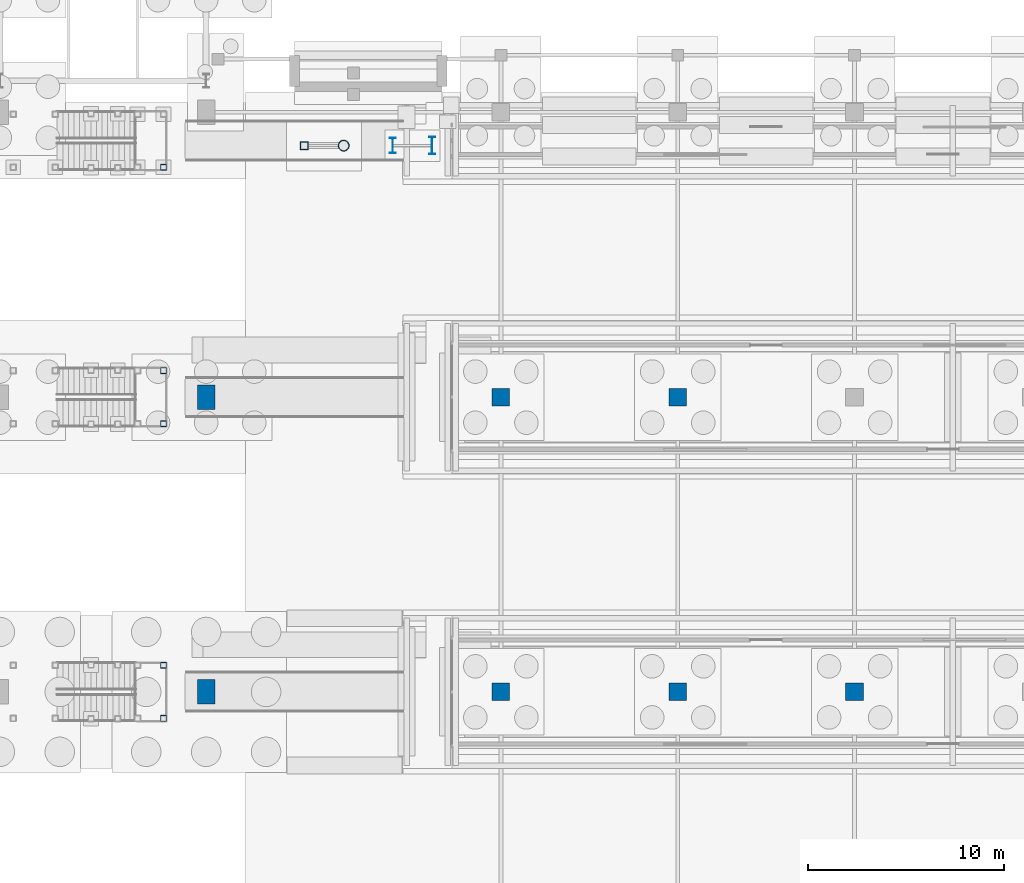
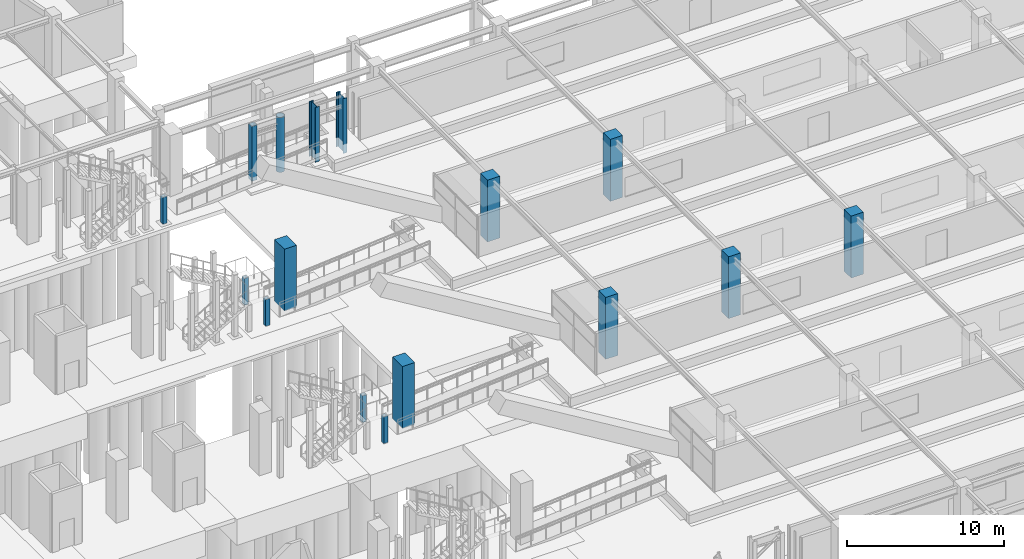
# One storey, part 32 of 160: 16 columns.
"""IFC4 building model written with IfcOpenShell, lengths in metres."""

import ifcopenshell
import ifcopenshell.guid

model = None  # the IFC model being written
_history = None  # IfcOwnerHistory: only IFC2X3 demands one
_inside = {}  # id of a spatial element -> (the spatial element, [elements in it])
_under = {}  # id of a project, library or spatial element -> (it, [spatial elements below it])
_declared = {}  # id of a project -> (the project, [libraries it declares])
_typed = {}  # id of a type object -> (the type object, [elements of that type])
_made_of = {}  # id of a material, layer set ... -> (it, [elements and type objects made of it])


def new_model(schema):
    """Start an empty IFC model of exactly this schema.

    Asked for "IFC4X3", IfcOpenShell would pick the latest addendum, in which some entities
    have other attributes; the version numbers below select the first issue.
    IFC2X3 requires an IfcOwnerHistory on every rooted entity: one is made here for all.
    """
    global model, _history
    if schema == "IFC4X3":
        model = ifcopenshell.file(schema_version=(4, 3, 0, 0))
    else:
        model = ifcopenshell.file(schema=schema)
    _inside.clear()
    _under.clear()
    _declared.clear()
    _typed.clear()
    _made_of.clear()
    _history = None
    if model.schema == "IFC2X3":
        org = make("IfcOrganization", Name="unknown")
        user = make(
            "IfcPersonAndOrganization",
            ThePerson=make("IfcPerson", FamilyName="unknown"),
            TheOrganization=org,
        )
        app = make(
            "IfcApplication",
            ApplicationDeveloper=org,
            Version="unknown",
            ApplicationFullName="unknown",
            ApplicationIdentifier="unknown",
        )
        _history = make(
            "IfcOwnerHistory",
            OwningUser=user,
            OwningApplication=app,
            ChangeAction="ADDED",
            CreationDate=0,
        )
    return model


def make(cls, **values):
    """One entity of the class cls with the attributes given. An attribute that is None is left unset."""
    return model.create_entity(
        cls, **{name: value for name, value in values.items() if value is not None}
    )


def rooted(cls, **values):
    """An entity with a GlobalId (a new one), such as an element, a storey or a relation."""
    return make(cls, GlobalId=ifcopenshell.guid.new(), OwnerHistory=_history, **values)


def si_unit(unit_type, name, prefix=None):
    """IfcSIUnit, for example si_unit("LENGTHUNIT", "METRE", prefix="MILLI")."""
    return make("IfcSIUnit", UnitType=unit_type, Prefix=prefix, Name=name)


def assignment(units):
    """IfcUnitAssignment: the units of a project."""
    return None if units is None else make("IfcUnitAssignment", Units=units)


def point(xyz):
    """IfcCartesianPoint."""
    return None if xyz is None else make("IfcCartesianPoint", Coordinates=xyz)


def direction(xyz):
    """IfcDirection."""
    return None if xyz is None else make("IfcDirection", DirectionRatios=xyz)


def frame(location, z_axis=None, x_axis=None):
    """IfcAxis2Placement3D, a coordinate frame: its origin and axes. An axis left out is left unset."""
    return make(
        "IfcAxis2Placement3D",
        Location=point(location),
        Axis=direction(z_axis),
        RefDirection=direction(x_axis),
    )


def frame_2d(location, x_axis=None):
    """IfcAxis2Placement2D, a coordinate frame in the plane: its origin and x axis."""
    return make(
        "IfcAxis2Placement2D", Location=point(location), RefDirection=direction(x_axis)
    )


def origin():
    """The frame at (0, 0, 0) with its axes left unset."""
    return frame((0.0, 0.0, 0.0))


def origin_2d():
    """The frame at (0, 0) in the plane with its x axis left unset."""
    return frame_2d((0.0, 0.0))


def place(relative_to, where):
    """IfcLocalPlacement: puts the frame where relative to a parent placement (None: the world)."""
    return make(
        "IfcLocalPlacement", PlacementRelTo=relative_to, RelativePlacement=where
    )


def context(
    kind, dimensions, precision=None, world=None, true_north=None, identifier=None
):
    """IfcGeometricRepresentationContext, for example the 3D "Model" context."""
    return make(
        "IfcGeometricRepresentationContext",
        ContextIdentifier=identifier,
        ContextType=kind,
        CoordinateSpaceDimension=dimensions,
        Precision=precision,
        WorldCoordinateSystem=world,
        TrueNorth=true_north,
    )


def subcontext(parent, identifier, kind, view, scale=None):
    """IfcGeometricRepresentationSubContext, for example "Body" below "Model"."""
    return make(
        "IfcGeometricRepresentationSubContext",
        ContextIdentifier=identifier,
        ContextType=kind,
        ParentContext=parent,
        TargetScale=scale,
        TargetView=view,
    )


def project(units=None, contexts=None):
    """IfcProject with its units and contexts."""
    return rooted(
        "IfcProject",
        Name="project",
        RepresentationContexts=contexts,
        UnitsInContext=assignment(units),
    )


def spatial(cls, under=None, at=None, **own):
    """A site, building, storey or space (cls), placed at a placement, below another one or the project."""
    s = rooted(cls, ObjectPlacement=at, **own)
    if under is not None:
        _under.setdefault(under.id(), (under, []))[1].append(s)
    return s


def profile(cls, at=None, kind="AREA", **sizes):
    """A parametric profile (cls). Its sizes go by their IFC names, for example OverallWidth=200.0."""
    return make(cls, ProfileType=kind, Position=at, **sizes)


def rectangle(**sizes):
    """IfcRectangleProfileDef."""
    return profile("IfcRectangleProfileDef", **sizes)


def hollow_rectangle(**sizes):
    """IfcRectangleHollowProfileDef."""
    return profile("IfcRectangleHollowProfileDef", **sizes)


def hollow_circle(**sizes):
    """IfcCircleHollowProfileDef."""
    return profile("IfcCircleHollowProfileDef", **sizes)


def i_section(**sizes):
    """IfcIShapeProfileDef."""
    return profile("IfcIShapeProfileDef", **sizes)


def extrude(swept, where, along, depth):
    """IfcExtrudedAreaSolid: the profile swept, set in the frame where, extruded along a direction by depth."""
    return make(
        "IfcExtrudedAreaSolid",
        SweptArea=swept,
        Position=where,
        ExtrudedDirection=direction(along),
        Depth=depth,
    )


def shape(context_of_items, identifier, shape_type, items):
    """IfcShapeRepresentation: the items that make up one representation, for example the "Body"."""
    return make(
        "IfcShapeRepresentation",
        ContextOfItems=context_of_items,
        RepresentationIdentifier=identifier,
        RepresentationType=shape_type,
        Items=items,
    )


def material(Name=None, Category=None):
    """IfcMaterial."""
    return make("IfcMaterial", Name=Name, Category=Category)


def material_profile(
    of_material, cross_section, Name=None, Category=None, Priority=None
):
    """IfcMaterialProfile: a cross section and its material."""
    return make(
        "IfcMaterialProfile",
        Name=Name,
        Material=of_material,
        Profile=cross_section,
        Priority=Priority,
        Category=Category,
    )


def profile_set(profiles, Name=None, composite=None):
    """IfcMaterialProfileSet."""
    return make(
        "IfcMaterialProfileSet",
        Name=Name,
        MaterialProfiles=profiles,
        CompositeProfile=composite,
    )


def made_of(thing, what):
    """Note that an element or type object is made of a material, layer set ...; save() writes the relation."""
    if what is not None:
        _made_of.setdefault(what.id(), (what, []))[1].append(thing)
    return thing


def type_object(cls, material=None, **own):
    """A type object (cls), such as IfcWallType, which elements share."""
    return made_of(rooted(cls, **own), material)


def element(
    cls,
    number,
    at=None,
    inside=None,
    cuts=None,
    type_object=None,
    material=None,
    context=None,
    identifier="Body",
    shape_type=None,
    held_by="IfcProductDefinitionShape",
    body=None,
    shapes=None,
    **own,
):
    """One element of the class cls, such as IfcWall. Its Tag is "e" and its number.

    at: its placement. inside: the storey or other place that contains it. cuts: it is an
    opening in that element (IfcRelVoidsElement). A single representation is given by context,
    identifier, shape_type and body (its items); several are given by shapes. held_by: the class
    of the entity that holds the representations. save() writes the other relations.
    """
    e = rooted(cls, Tag="e%d" % number, ObjectPlacement=at, **own)
    if body is not None:
        shapes = [shape(context, identifier, shape_type, body)]
    if shapes is not None:
        e.Representation = make(held_by, Representations=shapes)
    if inside is not None:
        _inside.setdefault(inside.id(), (inside, []))[1].append(e)
    if cuts is not None:
        rooted(
            "IfcRelVoidsElement", RelatingBuildingElement=cuts, RelatedOpeningElement=e
        )
    if type_object is not None:
        _typed.setdefault(type_object.id(), (type_object, []))[1].append(e)
    return made_of(e, material)


def aggregate(whole, parts):
    """IfcRelAggregates: a whole, such as a stair, and the parts it consists of."""
    return rooted("IfcRelAggregates", RelatingObject=whole, RelatedObjects=parts)


def save(model, path):
    """Write the relations noted so far, then the file.

    IfcRelAggregates (storeys below a building ...), IfcRelContainedInSpatialStructure (elements
    in a storey), IfcRelDefinesByType, IfcRelAssociatesMaterial and IfcRelDeclares: one each for
    every whole, place, type object, material and project.
    """
    for whole, parts in _under.values():
        aggregate(whole, parts)
    for where, things in _inside.values():
        rooted(
            "IfcRelContainedInSpatialStructure",
            RelatedElements=things,
            RelatingStructure=where,
        )
    for kind, things in _typed.values():
        rooted("IfcRelDefinesByType", RelatedObjects=things, RelatingType=kind)
    for what, things in _made_of.values():
        rooted("IfcRelAssociatesMaterial", RelatedObjects=things, RelatingMaterial=what)
    for by, libraries in _declared.values():
        rooted("IfcRelDeclares", RelatingContext=by, RelatedDefinitions=libraries)
    model.write(path)


model = new_model("IFC4")

# Units and contexts
model_context = context("Model", 3, precision=1e-05, world=origin(), true_north=direction((0.0, 1.0)))
body_context = subcontext(model_context, "Body", "Model", "MODEL_VIEW")
ifc_project = project(units=[si_unit("LENGTHUNIT", "METRE"), si_unit("AREAUNIT", "SQUARE_METRE"), si_unit("VOLUMEUNIT", "CUBIC_METRE"), si_unit("PLANEANGLEUNIT", "RADIAN"), si_unit("MASSUNIT", "GRAM", prefix="KILO")], contexts=[model_context])

# Site, building, storey
site_placement = place(None, origin())
site = spatial("IfcSite", under=ifc_project, at=site_placement, CompositionType="ELEMENT")
building_placement = place(site_placement, origin())
building = spatial("IfcBuilding", under=site, at=building_placement, Name="Marlcrest Central Station", CompositionType="ELEMENT")
storey_placement = place(building_placement, origin())
storey = spatial("IfcBuildingStorey", under=building, at=storey_placement, Name="L00", CompositionType="ELEMENT", Elevation=0.0)

# Columns
ifc_material_1 = material(Name="Concrete C50/60", Category="concrete")
ifc_material_profile_1 = material_profile(ifc_material_1, rectangle(XDim=0.89990234375, YDim=0.89990234375, at=origin_2d()), Name="RC 900x900")
ifc_profile_set_1 = profile_set([ifc_material_profile_1], Name="Concrete C50/60")
column_type_1 = type_object("IfcColumnType", Name="RC-08", PredefinedType="COLUMN", material=ifc_profile_set_1)
for number, where, z_axis, x_axis, name in (
    (1, (144.0, 66.0, 0.0), (0.0, 0.0, 1.0), (1.0, 0.0, 0.0), "col-RC-08-L00-0516"),
    (2, (144.0, 81.0, 0.0), (0.0, 0.0, 1.0), (1.0, 0.0, 0.0), "col-RC-08-L00-0518"),
    (3, (153.0, 66.0, 0.0), (0.0, 0.0, 1.0), (1.0, 0.0, 0.0), "col-RC-08-L00-0527"),
    (4, (153.0, 81.0, 0.0), (0.0, 0.0, 1.0), (1.0, 0.0, 0.0), "col-RC-08-L00-0529"),
    (5, (162.0, 66.0, 0.0), (0.0, 0.0, 1.0), (1.0, 0.0, 0.0), "col-RC-08-L00-0538"),
):
    element("IfcColumn", number, at=place(storey_placement, frame(where, z_axis=z_axis, x_axis=x_axis)), inside=storey, type_object=column_type_1, Name=name, PredefinedType="COLUMN", context=body_context, shape_type="SweptSolid", body=[
        extrude(rectangle(XDim=0.89990234375, YDim=0.89990234375, at=origin_2d()), origin(), (0.0, 0.0, 1.0), 4.800048828125),
    ])
ifc_material_profile_2 = material_profile(ifc_material_1, rectangle(XDim=0.89990234375, YDim=1.25, at=origin_2d()), Name="RC 900x1250")
ifc_profile_set_2 = profile_set([ifc_material_profile_2], Name="Concrete C50/60")
column_type_2 = type_object("IfcColumnType", Name="RC-12", PredefinedType="COLUMN", material=ifc_profile_set_2)
for number, where, z_axis, x_axis, name in (
    (6, (129.0, 66.0, 0.0), (0.0, 0.0, 1.0), (1.0, 0.0, 0.0), "col-RC-12-L00-0661"),
    (7, (129.0, 81.0, 0.0), (0.0, 0.0, 1.0), (1.0, 0.0, 0.0), "col-RC-12-L00-0663"),
):
    element("IfcColumn", number, at=place(storey_placement, frame(where, z_axis=z_axis, x_axis=x_axis)), inside=storey, type_object=column_type_2, Name=name, PredefinedType="COLUMN", context=body_context, shape_type="SweptSolid", body=[
        extrude(rectangle(XDim=0.89990234375, YDim=1.25, at=origin_2d()), origin(), (0.0, 0.0, 1.0), 4.800048828125),
    ])
ifc_material_2 = material(Name="Steel S355", Category="steel")
ifc_material_profile_3 = material_profile(ifc_material_2, i_section(OverallWidth=0.300048828125, OverallDepth=0.7900390625, WebThickness=0.014892578125, FlangeThickness=0.028076171875, FilletRadius=0.030029296875, at=origin_2d()), Name="HEA 800")
ifc_profile_set_3 = profile_set([ifc_material_profile_3], Name="Steel S355")
column_type_3 = type_object("IfcColumnType", Name="SC-17", PredefinedType="COLUMN", material=ifc_profile_set_3)
column_1_placement = place(storey_placement, frame((138.5, 93.800048828125, 0.199951171875), z_axis=(0.0, 0.0, 1.0), x_axis=(1.0, 0.0, 0.0)))
element("IfcColumn", 8, at=column_1_placement, inside=storey, type_object=column_type_3, Name="col-SC-17-L00-0923", PredefinedType="COLUMN", context=body_context, shape_type="SweptSolid", body=[
    extrude(i_section(OverallWidth=0.300048828125, OverallDepth=0.7900390625, WebThickness=0.014892578125, FlangeThickness=0.028076171875, FilletRadius=0.030029296875, at=origin_2d()), origin(), (0.0, 0.0, 1.0), 4.25),
])
ifc_material_profile_4 = material_profile(ifc_material_2, i_section(OverallWidth=0.300048828125, OverallDepth=0.889892578125, WebThickness=0.01611328125, FlangeThickness=0.030029296875, FilletRadius=0.030029296875, at=origin_2d()), Name="HEA 900")
ifc_profile_set_4 = profile_set([ifc_material_profile_4], Name="Steel S355")
column_type_4 = type_object("IfcColumnType", Name="SC-18", PredefinedType="COLUMN", material=ifc_profile_set_4)
column_2_placement = place(storey_placement, frame((140.5, 93.800048828125, 0.199951171875), z_axis=(0.0, 0.0, 1.0), x_axis=(1.0, 0.0, 0.0)))
element("IfcColumn", 9, at=column_2_placement, inside=storey, type_object=column_type_4, Name="col-SC-18-L00-0924", PredefinedType="COLUMN", context=body_context, shape_type="SweptSolid", body=[
    extrude(i_section(OverallWidth=0.300048828125, OverallDepth=0.889892578125, WebThickness=0.01611328125, FlangeThickness=0.030029296875, FilletRadius=0.030029296875, at=origin_2d()), origin(), (0.0, 0.0, 1.0), 4.25),
])
ifc_material_profile_5 = material_profile(ifc_material_2, hollow_rectangle(XDim=0.300048828125, YDim=0.300048828125, WallThickness=0.01611328125, at=origin_2d()), Name="SHS 300x300x16")
ifc_profile_set_5 = profile_set([ifc_material_profile_5], Name="Steel S355")
column_type_5 = type_object("IfcColumnType", Name="SC-19", PredefinedType="COLUMN", material=ifc_profile_set_5)
for number, where, z_axis, x_axis, name in (
    (10, (126.830078125, 64.64990234375, 0.0), (0.0, 0.0, 1.0), (1.0, 0.0, 0.0), "stcol-0017-1268-646"),
    (11, (126.830078125, 67.35009765625, 0.0), (0.0, 0.0, 1.0), (1.0, 0.0, 0.0), "stcol-0017-1268-673"),
    (12, (126.830078125, 79.64990234375, 0.0), (0.0, 0.0, 1.0), (1.0, 0.0, 0.0), "stcol-0023-1268-796"),
    (13, (126.830078125, 82.35009765625, 0.0), (0.0, 0.0, 1.0), (1.0, 0.0, 0.0), "stcol-0023-1268-823"),
    (14, (126.830078125, 92.699951171875, 0.0), (0.0, 0.0, 1.0), (1.0, 0.0, 0.0), "stcol-0029-1268-927"),
):
    element("IfcColumn", number, at=place(storey_placement, frame(where, z_axis=z_axis, x_axis=x_axis)), inside=storey, type_object=column_type_5, Name=name, PredefinedType="COLUMN", context=body_context, shape_type="SweptSolid", body=[
        extrude(hollow_rectangle(XDim=0.300048828125, YDim=0.300048828125, WallThickness=0.01611328125, at=origin_2d()), origin(), (0.0, 0.0, 1.0), 2.080078125),
    ])
ifc_material_profile_6 = material_profile(ifc_material_2, hollow_rectangle(XDim=0.39990234375, YDim=0.39990234375, WallThickness=0.02001953125, at=origin_2d()), Name="SHS 400x400x20")
ifc_profile_set_6 = profile_set([ifc_material_profile_6], Name="Steel S355")
column_type_6 = type_object("IfcColumnType", Name="SC-21", PredefinedType="COLUMN", material=ifc_profile_set_6)
column_3_placement = place(storey_placement, frame((134.0, 93.800048828125, 0.199951171875), z_axis=(0.0, 0.0, 1.0), x_axis=(1.0, 0.0, 0.0)))
element("IfcColumn", 15, at=column_3_placement, inside=storey, type_object=column_type_6, Name="col-SC-21-L00-0939", PredefinedType="COLUMN", context=body_context, shape_type="SweptSolid", body=[
    extrude(hollow_rectangle(XDim=0.39990234375, YDim=0.39990234375, WallThickness=0.02001953125, at=origin_2d()), origin(), (0.0, 0.0, 1.0), 4.25),
])
ifc_material_profile_7 = material_profile(ifc_material_2, hollow_circle(Radius=0.279541015625, WallThickness=0.02490234375, at=origin_2d()), Name="CHS 559x25")
ifc_profile_set_7 = profile_set([ifc_material_profile_7], Name="Steel S355")
column_type_7 = type_object("IfcColumnType", Name="SC-22", PredefinedType="COLUMN", material=ifc_profile_set_7)
column_4_placement = place(storey_placement, frame((136.0, 93.800048828125, 0.199951171875), z_axis=(0.0, 0.0, 1.0), x_axis=(1.0, 0.0, 0.0)))
element("IfcColumn", 16, at=column_4_placement, inside=storey, type_object=column_type_7, Name="col-SC-22-L00-0940", PredefinedType="COLUMN", context=body_context, shape_type="SweptSolid", body=[
    extrude(hollow_circle(Radius=0.279541015625, WallThickness=0.02490234375, at=origin_2d()), origin(), (0.0, 0.0, 1.0), 4.25),
])

save(model, "model.ifc")
